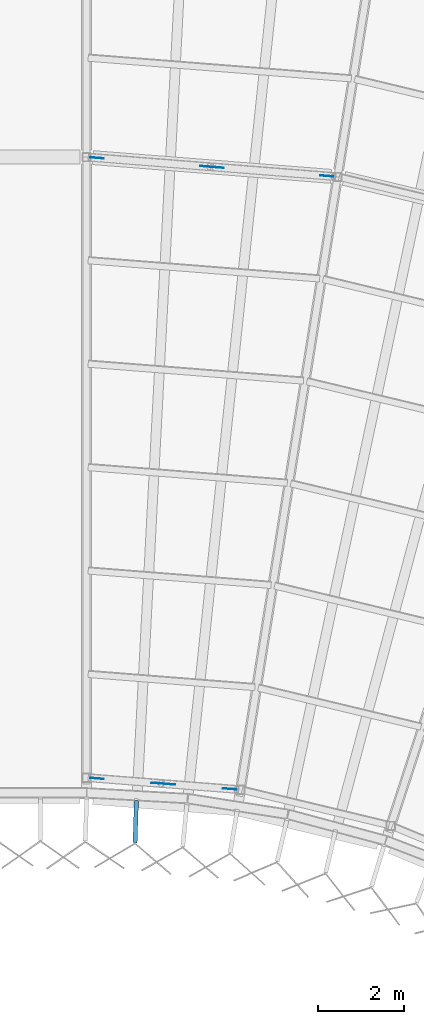
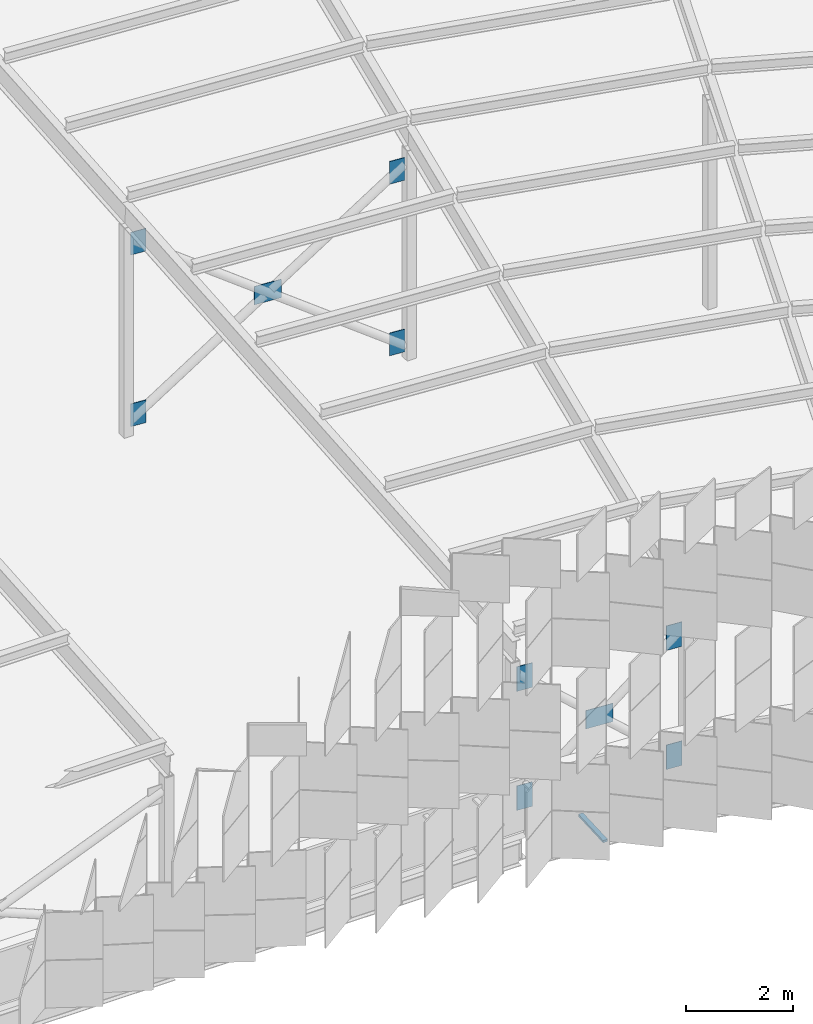
# One storey, part 448 of 483: 11 discrete accessories.
"""IFC4 building model written with IfcOpenShell, lengths in metres."""

import ifcopenshell
import ifcopenshell.guid

model = None  # the IFC model being written
_history = None  # IfcOwnerHistory: only IFC2X3 demands one
_inside = {}  # id of a spatial element -> (the spatial element, [elements in it])
_under = {}  # id of a project, library or spatial element -> (it, [spatial elements below it])
_declared = {}  # id of a project -> (the project, [libraries it declares])
_typed = {}  # id of a type object -> (the type object, [elements of that type])
_made_of = {}  # id of a material, layer set ... -> (it, [elements and type objects made of it])


def new_model(schema):
    """Start an empty IFC model of exactly this schema.

    Asked for "IFC4X3", IfcOpenShell would pick the latest addendum, in which some entities
    have other attributes; the version numbers below select the first issue.
    IFC2X3 requires an IfcOwnerHistory on every rooted entity: one is made here for all.
    """
    global model, _history
    if schema == "IFC4X3":
        model = ifcopenshell.file(schema_version=(4, 3, 0, 0))
    else:
        model = ifcopenshell.file(schema=schema)
    _inside.clear()
    _under.clear()
    _declared.clear()
    _typed.clear()
    _made_of.clear()
    _history = None
    if model.schema == "IFC2X3":
        org = make("IfcOrganization", Name="unknown")
        user = make(
            "IfcPersonAndOrganization",
            ThePerson=make("IfcPerson", FamilyName="unknown"),
            TheOrganization=org,
        )
        app = make(
            "IfcApplication",
            ApplicationDeveloper=org,
            Version="unknown",
            ApplicationFullName="unknown",
            ApplicationIdentifier="unknown",
        )
        _history = make(
            "IfcOwnerHistory",
            OwningUser=user,
            OwningApplication=app,
            ChangeAction="ADDED",
            CreationDate=0,
        )
    return model


def make(cls, **values):
    """One entity of the class cls with the attributes given. An attribute that is None is left unset."""
    return model.create_entity(
        cls, **{name: value for name, value in values.items() if value is not None}
    )


def rooted(cls, **values):
    """An entity with a GlobalId (a new one), such as an element, a storey or a relation."""
    return make(cls, GlobalId=ifcopenshell.guid.new(), OwnerHistory=_history, **values)


def si_unit(unit_type, name, prefix=None):
    """IfcSIUnit, for example si_unit("LENGTHUNIT", "METRE", prefix="MILLI")."""
    return make("IfcSIUnit", UnitType=unit_type, Prefix=prefix, Name=name)


def assignment(units):
    """IfcUnitAssignment: the units of a project."""
    return None if units is None else make("IfcUnitAssignment", Units=units)


def point(xyz):
    """IfcCartesianPoint."""
    return None if xyz is None else make("IfcCartesianPoint", Coordinates=xyz)


def direction(xyz):
    """IfcDirection."""
    return None if xyz is None else make("IfcDirection", DirectionRatios=xyz)


def frame(location, z_axis=None, x_axis=None):
    """IfcAxis2Placement3D, a coordinate frame: its origin and axes. An axis left out is left unset."""
    return make(
        "IfcAxis2Placement3D",
        Location=point(location),
        Axis=direction(z_axis),
        RefDirection=direction(x_axis),
    )


def frame_2d(location, x_axis=None):
    """IfcAxis2Placement2D, a coordinate frame in the plane: its origin and x axis."""
    return make(
        "IfcAxis2Placement2D", Location=point(location), RefDirection=direction(x_axis)
    )


def origin():
    """The frame at (0, 0, 0) with its axes left unset."""
    return frame((0.0, 0.0, 0.0))


def origin_2d():
    """The frame at (0, 0) in the plane with its x axis left unset."""
    return frame_2d((0.0, 0.0))


def place(relative_to, where):
    """IfcLocalPlacement: puts the frame where relative to a parent placement (None: the world)."""
    return make(
        "IfcLocalPlacement", PlacementRelTo=relative_to, RelativePlacement=where
    )


def context(
    kind, dimensions, precision=None, world=None, true_north=None, identifier=None
):
    """IfcGeometricRepresentationContext, for example the 3D "Model" context."""
    return make(
        "IfcGeometricRepresentationContext",
        ContextIdentifier=identifier,
        ContextType=kind,
        CoordinateSpaceDimension=dimensions,
        Precision=precision,
        WorldCoordinateSystem=world,
        TrueNorth=true_north,
    )


def subcontext(parent, identifier, kind, view, scale=None):
    """IfcGeometricRepresentationSubContext, for example "Body" below "Model"."""
    return make(
        "IfcGeometricRepresentationSubContext",
        ContextIdentifier=identifier,
        ContextType=kind,
        ParentContext=parent,
        TargetScale=scale,
        TargetView=view,
    )


def project(units=None, contexts=None):
    """IfcProject with its units and contexts."""
    return rooted(
        "IfcProject",
        Name="project",
        RepresentationContexts=contexts,
        UnitsInContext=assignment(units),
    )


def spatial(cls, under=None, at=None, **own):
    """A site, building, storey or space (cls), placed at a placement, below another one or the project."""
    s = rooted(cls, ObjectPlacement=at, **own)
    if under is not None:
        _under.setdefault(under.id(), (under, []))[1].append(s)
    return s


def polyline(points):
    """IfcPolyline through the points."""
    return make("IfcPolyline", Points=[point(p) for p in points])


def profile(cls, at=None, kind="AREA", **sizes):
    """A parametric profile (cls). Its sizes go by their IFC names, for example OverallWidth=200.0."""
    return make(cls, ProfileType=kind, Position=at, **sizes)


def rectangle(**sizes):
    """IfcRectangleProfileDef."""
    return profile("IfcRectangleProfileDef", **sizes)


def outline(outer, holes=None, kind="AREA"):
    """IfcArbitraryClosedProfileDef: a profile drawn as a closed curve; with holes, ...WithVoids."""
    if holes is None:
        return make("IfcArbitraryClosedProfileDef", ProfileType=kind, OuterCurve=outer)
    return make(
        "IfcArbitraryProfileDefWithVoids",
        ProfileType=kind,
        OuterCurve=outer,
        InnerCurves=holes,
    )


def extrude(swept, where, along, depth):
    """IfcExtrudedAreaSolid: the profile swept, set in the frame where, extruded along a direction by depth."""
    return make(
        "IfcExtrudedAreaSolid",
        SweptArea=swept,
        Position=where,
        ExtrudedDirection=direction(along),
        Depth=depth,
    )


def shape(context_of_items, identifier, shape_type, items):
    """IfcShapeRepresentation: the items that make up one representation, for example the "Body"."""
    return make(
        "IfcShapeRepresentation",
        ContextOfItems=context_of_items,
        RepresentationIdentifier=identifier,
        RepresentationType=shape_type,
        Items=items,
    )


def material(Name=None, Category=None):
    """IfcMaterial."""
    return make("IfcMaterial", Name=Name, Category=Category)


def layer(
    of_material, thickness, ventilated=None, Name=None, Category=None, Priority=None
):
    """IfcMaterialLayer: one layer of a wall or slab, of a material (None: an air gap)."""
    return make(
        "IfcMaterialLayer",
        Material=of_material,
        LayerThickness=thickness,
        IsVentilated=ventilated,
        Name=Name,
        Category=Category,
        Priority=Priority,
    )


def layer_set(layers, Name=None):
    """IfcMaterialLayerSet."""
    return make("IfcMaterialLayerSet", MaterialLayers=layers, LayerSetName=Name)


def made_of(thing, what):
    """Note that an element or type object is made of a material, layer set ...; save() writes the relation."""
    if what is not None:
        _made_of.setdefault(what.id(), (what, []))[1].append(thing)
    return thing


def type_object(cls, material=None, **own):
    """A type object (cls), such as IfcWallType, which elements share."""
    return made_of(rooted(cls, **own), material)


def element(
    cls,
    number,
    at=None,
    inside=None,
    cuts=None,
    type_object=None,
    material=None,
    context=None,
    identifier="Body",
    shape_type=None,
    held_by="IfcProductDefinitionShape",
    body=None,
    shapes=None,
    **own,
):
    """One element of the class cls, such as IfcWall. Its Tag is "e" and its number.

    at: its placement. inside: the storey or other place that contains it. cuts: it is an
    opening in that element (IfcRelVoidsElement). A single representation is given by context,
    identifier, shape_type and body (its items); several are given by shapes. held_by: the class
    of the entity that holds the representations. save() writes the other relations.
    """
    e = rooted(cls, Tag="e%d" % number, ObjectPlacement=at, **own)
    if body is not None:
        shapes = [shape(context, identifier, shape_type, body)]
    if shapes is not None:
        e.Representation = make(held_by, Representations=shapes)
    if inside is not None:
        _inside.setdefault(inside.id(), (inside, []))[1].append(e)
    if cuts is not None:
        rooted(
            "IfcRelVoidsElement", RelatingBuildingElement=cuts, RelatedOpeningElement=e
        )
    if type_object is not None:
        _typed.setdefault(type_object.id(), (type_object, []))[1].append(e)
    return made_of(e, material)


def aggregate(whole, parts):
    """IfcRelAggregates: a whole, such as a stair, and the parts it consists of."""
    return rooted("IfcRelAggregates", RelatingObject=whole, RelatedObjects=parts)


def save(model, path):
    """Write the relations noted so far, then the file.

    IfcRelAggregates (storeys below a building ...), IfcRelContainedInSpatialStructure (elements
    in a storey), IfcRelDefinesByType, IfcRelAssociatesMaterial and IfcRelDeclares: one each for
    every whole, place, type object, material and project.
    """
    for whole, parts in _under.values():
        aggregate(whole, parts)
    for where, things in _inside.values():
        rooted(
            "IfcRelContainedInSpatialStructure",
            RelatedElements=things,
            RelatingStructure=where,
        )
    for kind, things in _typed.values():
        rooted("IfcRelDefinesByType", RelatedObjects=things, RelatingType=kind)
    for what, things in _made_of.values():
        rooted("IfcRelAssociatesMaterial", RelatedObjects=things, RelatingMaterial=what)
    for by, libraries in _declared.values():
        rooted("IfcRelDeclares", RelatingContext=by, RelatedDefinitions=libraries)
    model.write(path)


model = new_model("IFC4")

# Units and contexts
model_context = context("Model", 3, precision=1e-05, world=origin(), true_north=direction((0.0, 1.0)))
body_context = subcontext(model_context, "Body", "Model", "MODEL_VIEW")
ifc_project = project(units=[si_unit("LENGTHUNIT", "METRE"), si_unit("AREAUNIT", "SQUARE_METRE"), si_unit("VOLUMEUNIT", "CUBIC_METRE"), si_unit("PLANEANGLEUNIT", "RADIAN"), si_unit("MASSUNIT", "GRAM", prefix="KILO")], contexts=[model_context])

# Site, building, storey
site_placement = place(None, origin())
site = spatial("IfcSite", under=ifc_project, at=site_placement, CompositionType="ELEMENT")
building_placement = place(site_placement, origin())
building = spatial("IfcBuilding", under=site, at=building_placement, Name="Parallax Yard Mobility Hub", CompositionType="ELEMENT")
storey_placement = place(building_placement, frame((0.0, 0.0, 13.199951171875)))
storey = spatial("IfcBuildingStorey", under=building, at=storey_placement, Name="L04", CompositionType="ELEMENT", Elevation=13.199951171875)

# Discrete accessories
ifc_material_1 = material(Name="Steel ASTM A36", Category="steel")
ifc_layer = layer(ifc_material_1, 0.011962890625)
ifc_layer_set = layer_set([ifc_layer], Name="Gusset plate PL12")
discrete_accessory_type_1 = type_object("IfcDiscreteAccessoryType", Name="Gusset plate PL12", PredefinedType="BRACKET", material=ifc_layer_set)
discrete_accessory_1_placement = place(storey_placement, frame((0.0, 0.0, 0.150146484375)))
element("IfcDiscreteAccessory", 1, at=discrete_accessory_1_placement, inside=storey, type_object=discrete_accessory_type_1, Name="Gusset plate PL12 RA bay R0-R1 foot on post R0", PredefinedType="BRACKET", context=body_context, shape_type="SweptSolid", body=[
    extrude(outline(polyline([(172.58837890625, 112.987060546875), (172.907470703125, 112.9619140625), (172.908447265625, 112.973876953125), (172.589599609375, 112.9990234375), (172.58837890625, 112.987060546875)])), origin(), (0.0, 0.0, 1.0), 0.56201171875),
])
for number, where, name in (
    (2, (0.0, 0.0, 2.8779296875), "Gusset plate PL12 RA bay R0-R1 head on post R1"),
    (3, (0.0, 0.0, 0.150146484375), "Gusset plate PL12 RA bay R0-R1 foot on post R1"),
):
    element("IfcDiscreteAccessory", number, at=place(storey_placement, frame(where)), inside=storey, type_object=discrete_accessory_type_1, Name=name, PredefinedType="BRACKET", context=body_context, shape_type="SweptSolid", body=[
        extrude(outline(polyline([(176.009521484375, 112.729736328125), (175.6904296875, 112.7548828125), (175.689453125, 112.742919921875), (176.008544921875, 112.7177734375), (176.009521484375, 112.729736328125)])), origin(), (0.0, 0.0, 1.0), 0.56201171875),
    ])
discrete_accessory_2_placement = place(storey_placement, frame((0.0, 0.0, 2.8779296875)))
element("IfcDiscreteAccessory", 4, at=discrete_accessory_2_placement, inside=storey, type_object=discrete_accessory_type_1, Name="Gusset plate PL12 RA bay R0-R1 head on post R0", PredefinedType="BRACKET", context=body_context, shape_type="SweptSolid", body=[
    extrude(outline(polyline([(172.58837890625, 112.987060546875), (172.907470703125, 112.9619140625), (172.908447265625, 112.973876953125), (172.589599609375, 112.9990234375), (172.58837890625, 112.987060546875)])), origin(), (0.0, 0.0, 1.0), 0.56201171875),
])
discrete_accessory_3_placement = place(storey_placement, frame((0.0, 0.0, 1.5849609375)))
element("IfcDiscreteAccessory", 5, at=discrete_accessory_3_placement, inside=storey, type_object=discrete_accessory_type_1, Name="Gusset plate PL12 RA bay R0-R1 crossing node", PredefinedType="BRACKET", context=body_context, shape_type="SweptSolid", body=[
    extrude(outline(polyline([(174.019287109375, 112.87451171875), (174.57763671875, 112.830322265625), (174.57861328125, 112.84228515625), (174.020263671875, 112.886474609375), (174.019287109375, 112.87451171875)])), origin(), (0.0, 0.0, 1.0), 0.420166015625),
])
discrete_accessory_4_placement = place(storey_placement, frame((0.0, 0.0, 0.150146484375)))
element("IfcDiscreteAccessory", 6, at=discrete_accessory_4_placement, inside=storey, type_object=discrete_accessory_type_1, Name="Gusset plate PL12 RB bay R0-R1 foot on post R0", PredefinedType="BRACKET", context=body_context, shape_type="SweptSolid", body=[
    extrude(outline(polyline([(172.58837890625, 127.487060546875), (172.907470703125, 127.4619140625), (172.908447265625, 127.473876953125), (172.589599609375, 127.4990234375), (172.58837890625, 127.487060546875)])), origin(), (0.0, 0.0, 1.0), 0.5185546875),
])
for number, where, name in (
    (7, (0.0, 0.0, 4.08154296875), "Gusset plate PL12 RB bay R0-R1 head on post R1"),
    (8, (0.0, 0.0, 0.150146484375), "Gusset plate PL12 RB bay R0-R1 foot on post R1"),
):
    element("IfcDiscreteAccessory", number, at=place(storey_placement, frame(where)), inside=storey, type_object=discrete_accessory_type_1, Name=name, PredefinedType="BRACKET", context=body_context, shape_type="SweptSolid", body=[
        extrude(outline(polyline([(178.27783203125, 127.05126953125), (177.958740234375, 127.076416015625), (177.957763671875, 127.064453125), (178.27685546875, 127.039306640625), (178.27783203125, 127.05126953125)])), origin(), (0.0, 0.0, 1.0), 0.5185546875),
    ])
discrete_accessory_5_placement = place(storey_placement, frame((0.0, 0.0, 4.08154296875)))
element("IfcDiscreteAccessory", 9, at=discrete_accessory_5_placement, inside=storey, type_object=discrete_accessory_type_1, Name="Gusset plate PL12 RB bay R0-R1 head on post R0", PredefinedType="BRACKET", context=body_context, shape_type="SweptSolid", body=[
    extrude(outline(polyline([(172.58837890625, 127.487060546875), (172.907470703125, 127.4619140625), (172.908447265625, 127.473876953125), (172.589599609375, 127.4990234375), (172.58837890625, 127.487060546875)])), origin(), (0.0, 0.0, 1.0), 0.5185546875),
])
discrete_accessory_6_placement = place(storey_placement, frame((0.0, 0.0, 2.1650390625)))
element("IfcDiscreteAccessory", 10, at=discrete_accessory_6_placement, inside=storey, type_object=discrete_accessory_type_1, Name="Gusset plate PL12 RB bay R0-R1 crossing node", PredefinedType="BRACKET", context=body_context, shape_type="SweptSolid", body=[
    extrude(outline(polyline([(175.153564453125, 127.28515625), (175.7119140625, 127.2412109375), (175.712890625, 127.253173828125), (175.154541015625, 127.297119140625), (175.153564453125, 127.28515625)])), origin(), (0.0, 0.0, 1.0), 0.419921875),
])
ifc_material_2 = material(Name="Steel ASTM A36, hot-dip galvanised", Category="steel")
discrete_accessory_type_2 = type_object("IfcDiscreteAccessoryType", Name="Hinge bracket plate 100x50", PredefinedType="BRACKET", material=ifc_material_2)
discrete_accessory_7_placement = place(storey_placement, frame((173.651123046875, 111.970458984375, -0.02490234375), z_axis=(0.0, 0.0, 1.0), x_axis=(-0.032719082822, -0.999464587476, 0.0)))
element("IfcDiscreteAccessory", 11, at=discrete_accessory_7_placement, inside=storey, type_object=discrete_accessory_type_2, Name="Hinge bracket plate bay 18.2 level L04", PredefinedType="BRACKET", context=body_context, shape_type="SweptSolid", body=[
    extrude(rectangle(XDim=0.984130859375, YDim=0.10009765625, at=origin_2d()), origin(), (0.0, 0.0, 1.0), 0.050048828125),
])

save(model, "model.ifc")
